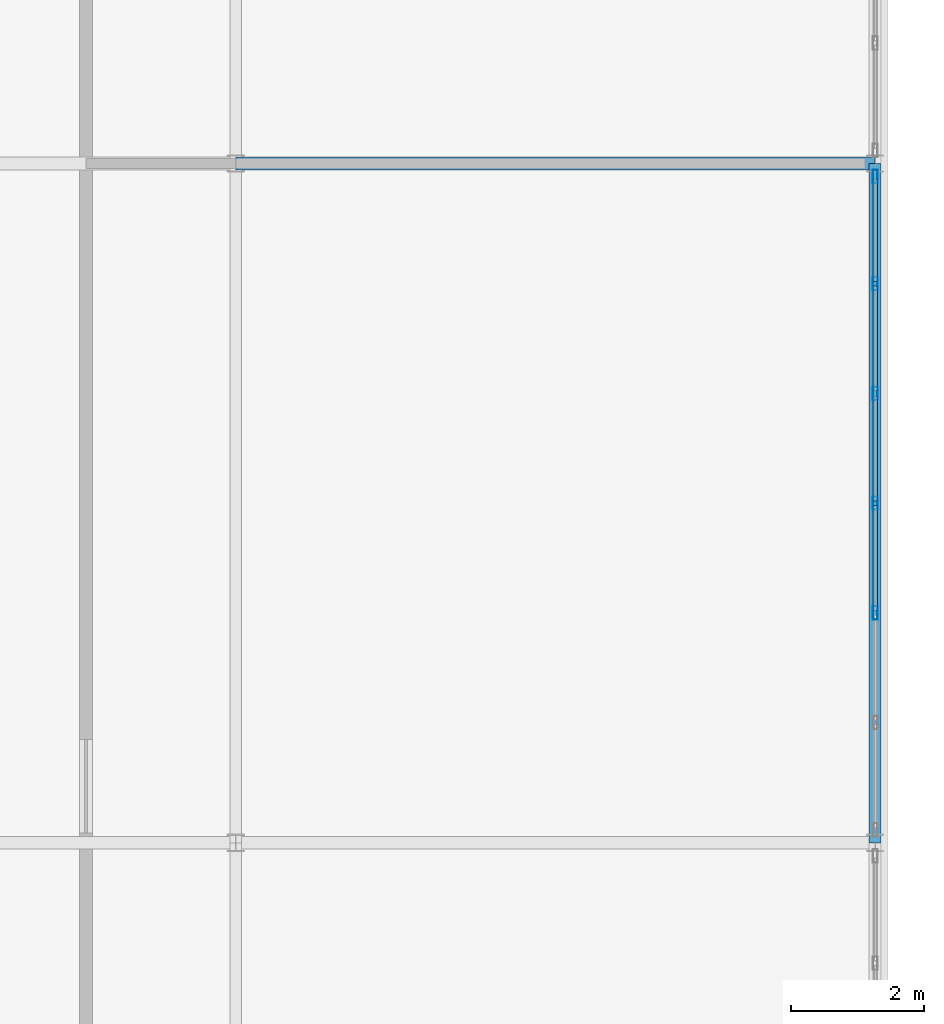
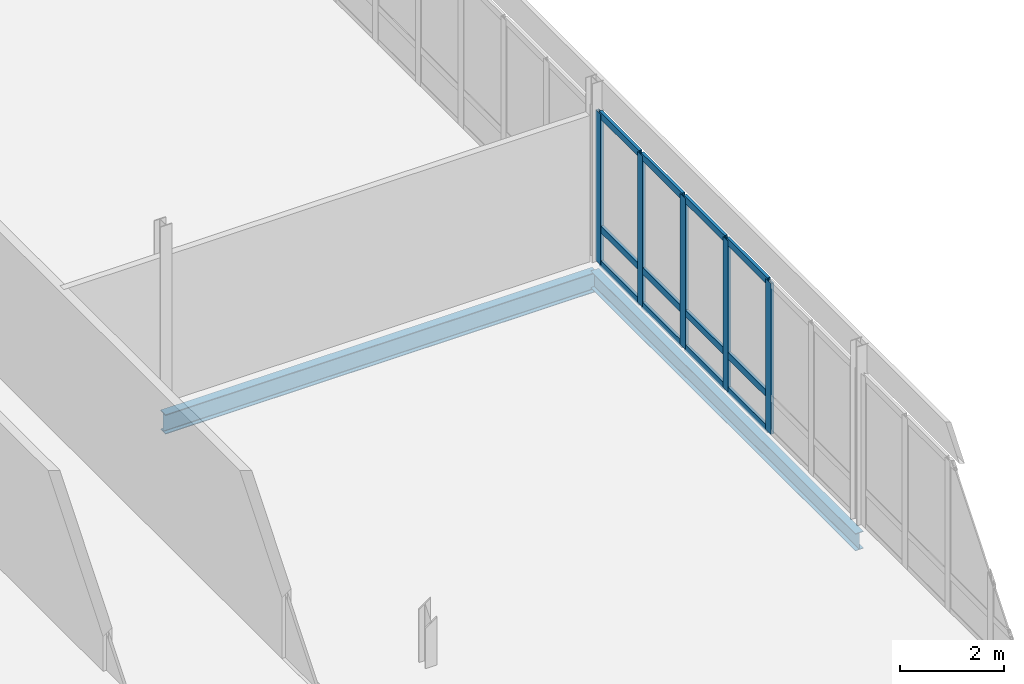
# One storey, part 117 of 170: 17 members, 2 beams, 1 element without a shape of its own.
"""IFC4 building model written with IfcOpenShell, lengths in metres."""

import ifcopenshell
import ifcopenshell.guid

model = None  # the IFC model being written
_history = None  # IfcOwnerHistory: only IFC2X3 demands one
_inside = {}  # id of a spatial element -> (the spatial element, [elements in it])
_under = {}  # id of a project, library or spatial element -> (it, [spatial elements below it])
_declared = {}  # id of a project -> (the project, [libraries it declares])
_typed = {}  # id of a type object -> (the type object, [elements of that type])
_made_of = {}  # id of a material, layer set ... -> (it, [elements and type objects made of it])


def new_model(schema):
    """Start an empty IFC model of exactly this schema.

    Asked for "IFC4X3", IfcOpenShell would pick the latest addendum, in which some entities
    have other attributes; the version numbers below select the first issue.
    IFC2X3 requires an IfcOwnerHistory on every rooted entity: one is made here for all.
    """
    global model, _history
    if schema == "IFC4X3":
        model = ifcopenshell.file(schema_version=(4, 3, 0, 0))
    else:
        model = ifcopenshell.file(schema=schema)
    _inside.clear()
    _under.clear()
    _declared.clear()
    _typed.clear()
    _made_of.clear()
    _history = None
    if model.schema == "IFC2X3":
        org = make("IfcOrganization", Name="unknown")
        user = make(
            "IfcPersonAndOrganization",
            ThePerson=make("IfcPerson", FamilyName="unknown"),
            TheOrganization=org,
        )
        app = make(
            "IfcApplication",
            ApplicationDeveloper=org,
            Version="unknown",
            ApplicationFullName="unknown",
            ApplicationIdentifier="unknown",
        )
        _history = make(
            "IfcOwnerHistory",
            OwningUser=user,
            OwningApplication=app,
            ChangeAction="ADDED",
            CreationDate=0,
        )
    return model


def make(cls, **values):
    """One entity of the class cls with the attributes given. An attribute that is None is left unset."""
    return model.create_entity(
        cls, **{name: value for name, value in values.items() if value is not None}
    )


def rooted(cls, **values):
    """An entity with a GlobalId (a new one), such as an element, a storey or a relation."""
    return make(cls, GlobalId=ifcopenshell.guid.new(), OwnerHistory=_history, **values)


def si_unit(unit_type, name, prefix=None):
    """IfcSIUnit, for example si_unit("LENGTHUNIT", "METRE", prefix="MILLI")."""
    return make("IfcSIUnit", UnitType=unit_type, Prefix=prefix, Name=name)


def assignment(units):
    """IfcUnitAssignment: the units of a project."""
    return None if units is None else make("IfcUnitAssignment", Units=units)


def point(xyz):
    """IfcCartesianPoint."""
    return None if xyz is None else make("IfcCartesianPoint", Coordinates=xyz)


def direction(xyz):
    """IfcDirection."""
    return None if xyz is None else make("IfcDirection", DirectionRatios=xyz)


def frame(location, z_axis=None, x_axis=None):
    """IfcAxis2Placement3D, a coordinate frame: its origin and axes. An axis left out is left unset."""
    return make(
        "IfcAxis2Placement3D",
        Location=point(location),
        Axis=direction(z_axis),
        RefDirection=direction(x_axis),
    )


def frame_2d(location, x_axis=None):
    """IfcAxis2Placement2D, a coordinate frame in the plane: its origin and x axis."""
    return make(
        "IfcAxis2Placement2D", Location=point(location), RefDirection=direction(x_axis)
    )


def origin():
    """The frame at (0, 0, 0) with its axes left unset."""
    return frame((0.0, 0.0, 0.0))


def origin_2d():
    """The frame at (0, 0) in the plane with its x axis left unset."""
    return frame_2d((0.0, 0.0))


def place(relative_to, where):
    """IfcLocalPlacement: puts the frame where relative to a parent placement (None: the world)."""
    return make(
        "IfcLocalPlacement", PlacementRelTo=relative_to, RelativePlacement=where
    )


def context(
    kind, dimensions, precision=None, world=None, true_north=None, identifier=None
):
    """IfcGeometricRepresentationContext, for example the 3D "Model" context."""
    return make(
        "IfcGeometricRepresentationContext",
        ContextIdentifier=identifier,
        ContextType=kind,
        CoordinateSpaceDimension=dimensions,
        Precision=precision,
        WorldCoordinateSystem=world,
        TrueNorth=true_north,
    )


def subcontext(parent, identifier, kind, view, scale=None):
    """IfcGeometricRepresentationSubContext, for example "Body" below "Model"."""
    return make(
        "IfcGeometricRepresentationSubContext",
        ContextIdentifier=identifier,
        ContextType=kind,
        ParentContext=parent,
        TargetScale=scale,
        TargetView=view,
    )


def project(units=None, contexts=None):
    """IfcProject with its units and contexts."""
    return rooted(
        "IfcProject",
        Name="project",
        RepresentationContexts=contexts,
        UnitsInContext=assignment(units),
    )


def spatial(cls, under=None, at=None, **own):
    """A site, building, storey or space (cls), placed at a placement, below another one or the project."""
    s = rooted(cls, ObjectPlacement=at, **own)
    if under is not None:
        _under.setdefault(under.id(), (under, []))[1].append(s)
    return s


def profile(cls, at=None, kind="AREA", **sizes):
    """A parametric profile (cls). Its sizes go by their IFC names, for example OverallWidth=200.0."""
    return make(cls, ProfileType=kind, Position=at, **sizes)


def hollow_rectangle(**sizes):
    """IfcRectangleHollowProfileDef."""
    return profile("IfcRectangleHollowProfileDef", **sizes)


def i_section(**sizes):
    """IfcIShapeProfileDef."""
    return profile("IfcIShapeProfileDef", **sizes)


def extrude(swept, where, along, depth):
    """IfcExtrudedAreaSolid: the profile swept, set in the frame where, extruded along a direction by depth."""
    return make(
        "IfcExtrudedAreaSolid",
        SweptArea=swept,
        Position=where,
        ExtrudedDirection=direction(along),
        Depth=depth,
    )


def shape(context_of_items, identifier, shape_type, items):
    """IfcShapeRepresentation: the items that make up one representation, for example the "Body"."""
    return make(
        "IfcShapeRepresentation",
        ContextOfItems=context_of_items,
        RepresentationIdentifier=identifier,
        RepresentationType=shape_type,
        Items=items,
    )


def material(Name=None, Category=None):
    """IfcMaterial."""
    return make("IfcMaterial", Name=Name, Category=Category)


def material_profile(
    of_material, cross_section, Name=None, Category=None, Priority=None
):
    """IfcMaterialProfile: a cross section and its material."""
    return make(
        "IfcMaterialProfile",
        Name=Name,
        Material=of_material,
        Profile=cross_section,
        Priority=Priority,
        Category=Category,
    )


def profile_set(profiles, Name=None, composite=None):
    """IfcMaterialProfileSet."""
    return make(
        "IfcMaterialProfileSet",
        Name=Name,
        MaterialProfiles=profiles,
        CompositeProfile=composite,
    )


def made_of(thing, what):
    """Note that an element or type object is made of a material, layer set ...; save() writes the relation."""
    if what is not None:
        _made_of.setdefault(what.id(), (what, []))[1].append(thing)
    return thing


def type_object(cls, material=None, **own):
    """A type object (cls), such as IfcWallType, which elements share."""
    return made_of(rooted(cls, **own), material)


def element(
    cls,
    number,
    at=None,
    inside=None,
    cuts=None,
    type_object=None,
    material=None,
    context=None,
    identifier="Body",
    shape_type=None,
    held_by="IfcProductDefinitionShape",
    body=None,
    shapes=None,
    **own,
):
    """One element of the class cls, such as IfcWall. Its Tag is "e" and its number.

    at: its placement. inside: the storey or other place that contains it. cuts: it is an
    opening in that element (IfcRelVoidsElement). A single representation is given by context,
    identifier, shape_type and body (its items); several are given by shapes. held_by: the class
    of the entity that holds the representations. save() writes the other relations.
    """
    e = rooted(cls, Tag="e%d" % number, ObjectPlacement=at, **own)
    if body is not None:
        shapes = [shape(context, identifier, shape_type, body)]
    if shapes is not None:
        e.Representation = make(held_by, Representations=shapes)
    if inside is not None:
        _inside.setdefault(inside.id(), (inside, []))[1].append(e)
    if cuts is not None:
        rooted(
            "IfcRelVoidsElement", RelatingBuildingElement=cuts, RelatedOpeningElement=e
        )
    if type_object is not None:
        _typed.setdefault(type_object.id(), (type_object, []))[1].append(e)
    return made_of(e, material)


def aggregate(whole, parts):
    """IfcRelAggregates: a whole, such as a stair, and the parts it consists of."""
    return rooted("IfcRelAggregates", RelatingObject=whole, RelatedObjects=parts)


def save(model, path):
    """Write the relations noted so far, then the file.

    IfcRelAggregates (storeys below a building ...), IfcRelContainedInSpatialStructure (elements
    in a storey), IfcRelDefinesByType, IfcRelAssociatesMaterial and IfcRelDeclares: one each for
    every whole, place, type object, material and project.
    """
    for whole, parts in _under.values():
        aggregate(whole, parts)
    for where, things in _inside.values():
        rooted(
            "IfcRelContainedInSpatialStructure",
            RelatedElements=things,
            RelatingStructure=where,
        )
    for kind, things in _typed.values():
        rooted("IfcRelDefinesByType", RelatedObjects=things, RelatingType=kind)
    for what, things in _made_of.values():
        rooted("IfcRelAssociatesMaterial", RelatedObjects=things, RelatingMaterial=what)
    for by, libraries in _declared.values():
        rooted("IfcRelDeclares", RelatingContext=by, RelatedDefinitions=libraries)
    model.write(path)


model = new_model("IFC4")

# Units and contexts
model_context = context("Model", 3, precision=1e-05, world=origin(), true_north=direction((0.0, 1.0)))
body_context = subcontext(model_context, "Body", "Model", "MODEL_VIEW")
ifc_project = project(units=[si_unit("LENGTHUNIT", "METRE"), si_unit("AREAUNIT", "SQUARE_METRE"), si_unit("VOLUMEUNIT", "CUBIC_METRE"), si_unit("PLANEANGLEUNIT", "RADIAN"), si_unit("MASSUNIT", "GRAM", prefix="KILO")], contexts=[model_context])

# Site, building, storey
site_placement = place(None, origin())
site = spatial("IfcSite", under=ifc_project, at=site_placement, CompositionType="ELEMENT")
building_placement = place(site_placement, origin())
building = spatial("IfcBuilding", under=site, at=building_placement, Name="Vondelvale Polytechnic", CompositionType="ELEMENT")
storey_placement = place(building_placement, frame((0.0, 0.0, 5.39990234375)))
storey = spatial("IfcBuildingStorey", under=building, at=storey_placement, Name="L01", CompositionType="ELEMENT", Elevation=5.39990234375)

# Beams
ifc_material_1 = material(Name="Steel 300PLUS (fy = 300 MPa)", Category="steel")
ifc_material_profile_1 = material_profile(ifc_material_1, i_section(OverallWidth=0.177978515625, OverallDepth=0.406005859375, WebThickness=0.0078125, FlangeThickness=0.0126953125, FilletRadius=0.011474609375, at=origin_2d()), Name="410UB59.7")
ifc_profile_set_1 = profile_set([ifc_material_profile_1], Name="Steel 300PLUS (fy = 300 MPa)")
beam_type_1 = type_object("IfcBeamType", Name="BM-UB410", PredefinedType="BEAM", material=ifc_profile_set_1)
beam_1_placement = place(storey_placement, frame((172.800048828125, 61.199951171875, -0.48291015625), z_axis=(0.0, 1.0, 0.0), x_axis=(-1.0, 0.0, 0.0)))
element("IfcBeam", 1, at=beam_1_placement, inside=storey, type_object=beam_type_1, Name="L01 B B-14", PredefinedType="BEAM", context=body_context, shape_type="SweptSolid", body=[
    extrude(i_section(OverallWidth=0.177978515625, OverallDepth=0.406005859375, WebThickness=0.0078125, FlangeThickness=0.0126953125, FilletRadius=0.011474609375, at=origin_2d()), origin(), (0.0, 0.0, 1.0), 10.199951171875),
])
ifc_material_profile_2 = material_profile(ifc_material_1, i_section(OverallWidth=0.19091796875, OverallDepth=0.4599609375, WebThickness=0.010009765625, FlangeThickness=0.01611328125, FilletRadius=0.011474609375, at=origin_2d()), Name="460UB82.1")
ifc_profile_set_2 = profile_set([ifc_material_profile_2], Name="Steel 300PLUS (fy = 300 MPa)")
beam_type_2 = type_object("IfcBeamType", Name="BM-UB460H", PredefinedType="BEAM", material=ifc_profile_set_2)
beam_2_placement = place(storey_placement, frame((163.199951171875, 71.39990234375, -0.510009765625), z_axis=(1.0, 0.0, 0.0), x_axis=(0.0, 1.0, 0.0)))
element("IfcBeam", 2, at=beam_2_placement, inside=storey, type_object=beam_type_2, Name="L01 B B-12", PredefinedType="BEAM", context=body_context, shape_type="SweptSolid", body=[
    extrude(i_section(OverallWidth=0.19091796875, OverallDepth=0.4599609375, WebThickness=0.010009765625, FlangeThickness=0.01611328125, FilletRadius=0.011474609375, at=origin_2d()), origin(), (0.0, 0.0, 1.0), 9.60009765625),
])

# Curtain wall, members
ifc_material_2 = material(Name="Anodised extruded aluminium 6063-T6", Category="aluminium")
curtain_wall_type = type_object("IfcCurtainWallType", Name="CW-REFECTORY", PredefinedType="NOTDEFINED", material=ifc_material_2)
curtain_wall_placement = place(storey_placement, origin())
curtain_wall = element("IfcCurtainWall", 3, at=curtain_wall_placement, inside=storey, type_object=curtain_wall_type, Name="L01 architectural curtain wall CW-05-390", PredefinedType="NOTDEFINED")
ifc_material_profile_3 = material_profile(ifc_material_2, hollow_rectangle(XDim=0.070068359375, YDim=0.199951171875, WallThickness=0.00390625, at=origin_2d()), Name="CW-MUL-200x70")
ifc_profile_set_3 = profile_set([ifc_material_profile_3], Name="Anodised extruded aluminium 6063-T6")
member_type_1 = type_object("IfcMemberType", Name="CW-MUL-70x200", PredefinedType="MULLION", material=ifc_profile_set_3)
member_1_placement = place(storey_placement, frame((172.800048828125, 64.6533203125, 0.0), z_axis=(0.0, 0.0, 1.0), x_axis=(-1.0, 0.0, 0.0)))
member_1 = element("IfcMember", 4, at=member_1_placement, type_object=member_type_1, Name="CW-05-390 mullion 3", PredefinedType="MULLION", context=body_context, shape_type="SweptSolid", body=[
    extrude(hollow_rectangle(XDim=0.070068359375, YDim=0.199951171875, WallThickness=0.00390625, at=origin_2d()), origin(), (0.0, 0.0, 1.0), 3.550048828125),
])
member_2_placement = place(storey_placement, frame((172.800048828125, 66.300048828125, 0.0), z_axis=(0.0, 0.0, 1.0), x_axis=(-1.0, 0.0, 0.0)))
member_2 = element("IfcMember", 5, at=member_2_placement, type_object=member_type_1, Name="CW-05-390 mullion 4", PredefinedType="MULLION", context=body_context, shape_type="SweptSolid", body=[
    extrude(hollow_rectangle(XDim=0.070068359375, YDim=0.199951171875, WallThickness=0.00390625, at=origin_2d()), origin(), (0.0, 0.0, 1.0), 3.550048828125),
])
member_3_placement = place(storey_placement, frame((172.800048828125, 67.94677734375, 0.0), z_axis=(0.0, 0.0, 1.0), x_axis=(-1.0, 0.0, 0.0)))
member_3 = element("IfcMember", 6, at=member_3_placement, type_object=member_type_1, Name="CW-05-390 mullion 5", PredefinedType="MULLION", context=body_context, shape_type="SweptSolid", body=[
    extrude(hollow_rectangle(XDim=0.070068359375, YDim=0.199951171875, WallThickness=0.00390625, at=origin_2d()), origin(), (0.0, 0.0, 1.0), 3.550048828125),
])
member_4_placement = place(storey_placement, frame((172.800048828125, 69.59326171875, 0.0), z_axis=(0.0, 0.0, 1.0), x_axis=(-1.0, 0.0, 0.0)))
member_4 = element("IfcMember", 7, at=member_4_placement, type_object=member_type_1, Name="CW-05-390 mullion 6", PredefinedType="MULLION", context=body_context, shape_type="SweptSolid", body=[
    extrude(hollow_rectangle(XDim=0.070068359375, YDim=0.199951171875, WallThickness=0.00390625, at=origin_2d()), origin(), (0.0, 0.0, 1.0), 3.550048828125),
])
member_5_placement = place(storey_placement, frame((172.800048828125, 71.205078125, 0.0), z_axis=(0.0, 0.0, 1.0), x_axis=(-1.0, 0.0, 0.0)))
member_5 = element("IfcMember", 8, at=member_5_placement, type_object=member_type_1, Name="CW-05-390 mullion 7", PredefinedType="MULLION", context=body_context, shape_type="SweptSolid", body=[
    extrude(hollow_rectangle(XDim=0.070068359375, YDim=0.199951171875, WallThickness=0.00390625, at=origin_2d()), origin(), (0.0, 0.0, 1.0), 3.550048828125),
])
ifc_material_profile_4 = material_profile(ifc_material_2, hollow_rectangle(XDim=0.06494140625, YDim=0.159912109375, WallThickness=0.00341796875, at=origin_2d()), Name="CW-TRN-160x65")
ifc_profile_set_4 = profile_set([ifc_material_profile_4], Name="Anodised extruded aluminium 6063-T6")
member_type_2 = type_object("IfcMemberType", Name="CW-TRN-70x160", PredefinedType="USERDEFINED", material=ifc_profile_set_4)
member_6_placement = place(storey_placement, frame((172.800048828125, 64.688232421875, 0.03271484375), z_axis=(0.0, 1.0, 0.0), x_axis=(-1.0, 0.0, 0.0)))
member_6 = element("IfcMember", 9, at=member_6_placement, type_object=member_type_2, Name="CW-05-390 transom 3.1", ObjectType="TRANSOM", PredefinedType="USERDEFINED", context=body_context, shape_type="SweptSolid", body=[
    extrude(hollow_rectangle(XDim=0.06494140625, YDim=0.159912109375, WallThickness=0.00341796875, at=origin_2d()), origin(), (0.0, 0.0, 1.0), 1.57666015625),
])
member_7_placement = place(storey_placement, frame((172.800048828125, 64.688232421875, 0.85009765625), z_axis=(0.0, 1.0, 0.0), x_axis=(-1.0, 0.0, 0.0)))
member_7 = element("IfcMember", 10, at=member_7_placement, type_object=member_type_2, Name="CW-05-390 transom 3.2", ObjectType="TRANSOM", PredefinedType="USERDEFINED", context=body_context, shape_type="SweptSolid", body=[
    extrude(hollow_rectangle(XDim=0.06494140625, YDim=0.159912109375, WallThickness=0.00341796875, at=origin_2d()), origin(), (0.0, 0.0, 1.0), 1.57666015625),
])
member_8_placement = place(storey_placement, frame((172.800048828125, 64.688232421875, 3.517578125), z_axis=(0.0, 1.0, 0.0), x_axis=(-1.0, 0.0, 0.0)))
member_8 = element("IfcMember", 11, at=member_8_placement, type_object=member_type_2, Name="CW-05-390 transom 3.3", ObjectType="TRANSOM", PredefinedType="USERDEFINED", context=body_context, shape_type="SweptSolid", body=[
    extrude(hollow_rectangle(XDim=0.06494140625, YDim=0.159912109375, WallThickness=0.00341796875, at=origin_2d()), origin(), (0.0, 0.0, 1.0), 1.57666015625),
])
member_9_placement = place(storey_placement, frame((172.800048828125, 66.3349609375, 0.03271484375), z_axis=(0.0, 1.0, 0.0), x_axis=(-1.0, 0.0, 0.0)))
member_9 = element("IfcMember", 12, at=member_9_placement, type_object=member_type_2, Name="CW-05-390 transom 4.1", ObjectType="TRANSOM", PredefinedType="USERDEFINED", context=body_context, shape_type="SweptSolid", body=[
    extrude(hollow_rectangle(XDim=0.06494140625, YDim=0.159912109375, WallThickness=0.00341796875, at=origin_2d()), origin(), (0.0, 0.0, 1.0), 1.57666015625),
])
member_10_placement = place(storey_placement, frame((172.800048828125, 66.3349609375, 0.85009765625), z_axis=(0.0, 1.0, 0.0), x_axis=(-1.0, 0.0, 0.0)))
member_10 = element("IfcMember", 13, at=member_10_placement, type_object=member_type_2, Name="CW-05-390 transom 4.2", ObjectType="TRANSOM", PredefinedType="USERDEFINED", context=body_context, shape_type="SweptSolid", body=[
    extrude(hollow_rectangle(XDim=0.06494140625, YDim=0.159912109375, WallThickness=0.00341796875, at=origin_2d()), origin(), (0.0, 0.0, 1.0), 1.57666015625),
])
member_11_placement = place(storey_placement, frame((172.800048828125, 66.3349609375, 3.517578125), z_axis=(0.0, 1.0, 0.0), x_axis=(-1.0, 0.0, 0.0)))
member_11 = element("IfcMember", 14, at=member_11_placement, type_object=member_type_2, Name="CW-05-390 transom 4.3", ObjectType="TRANSOM", PredefinedType="USERDEFINED", context=body_context, shape_type="SweptSolid", body=[
    extrude(hollow_rectangle(XDim=0.06494140625, YDim=0.159912109375, WallThickness=0.00341796875, at=origin_2d()), origin(), (0.0, 0.0, 1.0), 1.57666015625),
])
member_12_placement = place(storey_placement, frame((172.800048828125, 67.981689453125, 0.03271484375), z_axis=(0.0, 1.0, 0.0), x_axis=(-1.0, 0.0, 0.0)))
member_12 = element("IfcMember", 15, at=member_12_placement, type_object=member_type_2, Name="CW-05-390 transom 5.1", ObjectType="TRANSOM", PredefinedType="USERDEFINED", context=body_context, shape_type="SweptSolid", body=[
    extrude(hollow_rectangle(XDim=0.06494140625, YDim=0.159912109375, WallThickness=0.00341796875, at=origin_2d()), origin(), (0.0, 0.0, 1.0), 1.57666015625),
])
member_13_placement = place(storey_placement, frame((172.800048828125, 67.981689453125, 0.85009765625), z_axis=(0.0, 1.0, 0.0), x_axis=(-1.0, 0.0, 0.0)))
member_13 = element("IfcMember", 16, at=member_13_placement, type_object=member_type_2, Name="CW-05-390 transom 5.2", ObjectType="TRANSOM", PredefinedType="USERDEFINED", context=body_context, shape_type="SweptSolid", body=[
    extrude(hollow_rectangle(XDim=0.06494140625, YDim=0.159912109375, WallThickness=0.00341796875, at=origin_2d()), origin(), (0.0, 0.0, 1.0), 1.57666015625),
])
member_14_placement = place(storey_placement, frame((172.800048828125, 67.981689453125, 3.517578125), z_axis=(0.0, 1.0, 0.0), x_axis=(-1.0, 0.0, 0.0)))
member_14 = element("IfcMember", 17, at=member_14_placement, type_object=member_type_2, Name="CW-05-390 transom 5.3", ObjectType="TRANSOM", PredefinedType="USERDEFINED", context=body_context, shape_type="SweptSolid", body=[
    extrude(hollow_rectangle(XDim=0.06494140625, YDim=0.159912109375, WallThickness=0.00341796875, at=origin_2d()), origin(), (0.0, 0.0, 1.0), 1.57666015625),
])
member_15_placement = place(storey_placement, frame((172.800048828125, 69.62841796875, 0.03271484375), z_axis=(0.0, 1.0, 0.0), x_axis=(-1.0, 0.0, 0.0)))
member_15 = element("IfcMember", 18, at=member_15_placement, type_object=member_type_2, Name="CW-05-390 transom 6.1", ObjectType="TRANSOM", PredefinedType="USERDEFINED", context=body_context, shape_type="SweptSolid", body=[
    extrude(hollow_rectangle(XDim=0.06494140625, YDim=0.159912109375, WallThickness=0.00341796875, at=origin_2d()), origin(), (0.0, 0.0, 1.0), 1.54150390625),
])
member_16_placement = place(storey_placement, frame((172.800048828125, 69.62841796875, 0.85009765625), z_axis=(0.0, 1.0, 0.0), x_axis=(-1.0, 0.0, 0.0)))
member_16 = element("IfcMember", 19, at=member_16_placement, type_object=member_type_2, Name="CW-05-390 transom 6.2", ObjectType="TRANSOM", PredefinedType="USERDEFINED", context=body_context, shape_type="SweptSolid", body=[
    extrude(hollow_rectangle(XDim=0.06494140625, YDim=0.159912109375, WallThickness=0.00341796875, at=origin_2d()), origin(), (0.0, 0.0, 1.0), 1.54150390625),
])
member_17_placement = place(storey_placement, frame((172.800048828125, 69.62841796875, 3.517578125), z_axis=(0.0, 1.0, 0.0), x_axis=(-1.0, 0.0, 0.0)))
member_17 = element("IfcMember", 20, at=member_17_placement, type_object=member_type_2, Name="CW-05-390 transom 6.3", ObjectType="TRANSOM", PredefinedType="USERDEFINED", context=body_context, shape_type="SweptSolid", body=[
    extrude(hollow_rectangle(XDim=0.06494140625, YDim=0.159912109375, WallThickness=0.00341796875, at=origin_2d()), origin(), (0.0, 0.0, 1.0), 1.54150390625),
])
aggregate(curtain_wall, [member_1, member_2, member_3, member_4, member_5, member_6, member_7, member_8, member_9, member_10, member_11, member_12, member_13, member_14, member_15, member_16, member_17])

save(model, "model.ifc")
